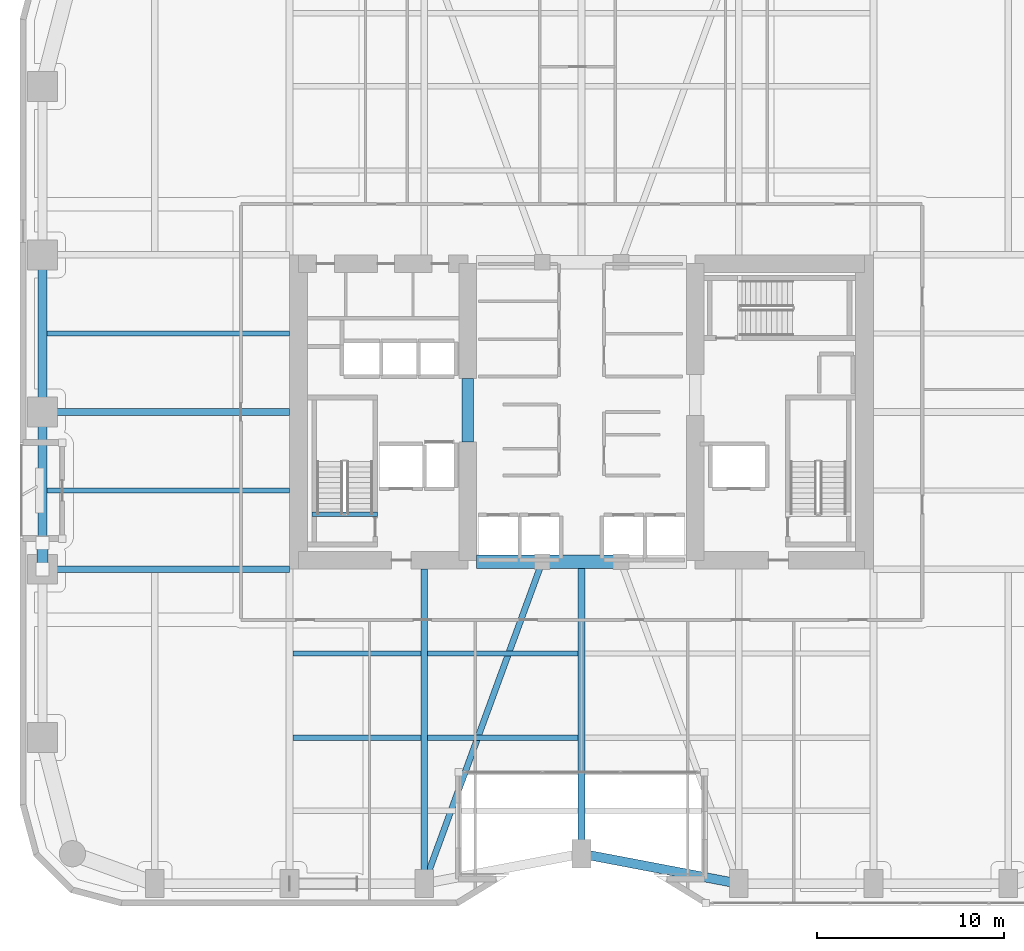
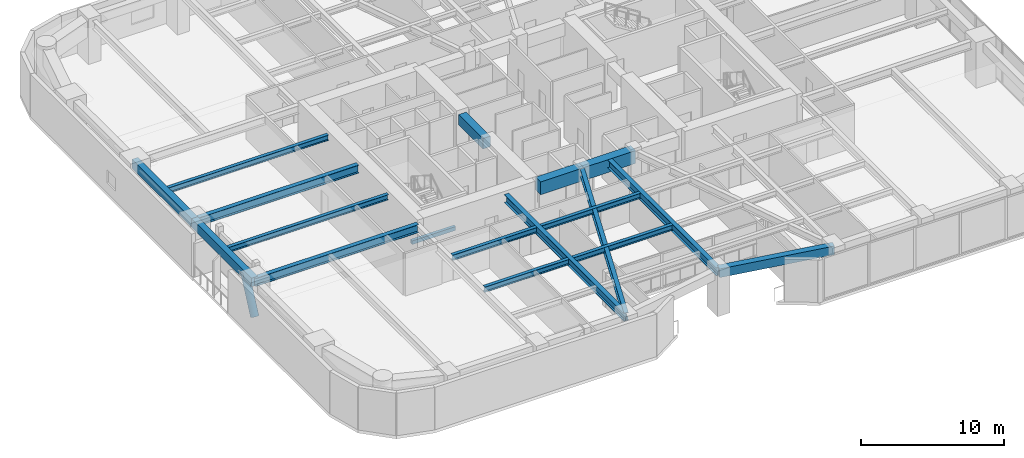
# One storey, part 3 of 26: 18 beams, 1 member.
"""IFC4 building model written with IfcOpenShell, lengths in metres."""

from ifc_helpers import new_model, si_unit, direction, frame, origin, origin_2d, place, context, subcontext, project, spatial, rectangle, hollow_circle, i_section, extrude, material, material_profile, profile_set, type_object, element, save


model = new_model("IFC4")

# Units and contexts
model_context = context("Model", 3, precision=1e-05, world=origin(), true_north=direction((0.0, 1.0)))
body_context = subcontext(model_context, "Body", "Model", "MODEL_VIEW")
ifc_project = project(units=[si_unit("LENGTHUNIT", "METRE"), si_unit("AREAUNIT", "SQUARE_METRE"), si_unit("VOLUMEUNIT", "CUBIC_METRE"), si_unit("PLANEANGLEUNIT", "RADIAN"), si_unit("MASSUNIT", "GRAM", prefix="KILO")], contexts=[model_context])

# Site, building, storey
site_placement = place(None, origin())
site = spatial("IfcSite", under=ifc_project, at=site_placement, CompositionType="ELEMENT")
building_placement = place(site_placement, origin())
building = spatial("IfcBuilding", under=site, at=building_placement, Name="Kiyonajd Concourse Tower", CompositionType="ELEMENT")
storey_placement = place(building_placement, frame((0.0, 0.0, 72.89990234375)))
storey = spatial("IfcBuildingStorey", under=building, at=storey_placement, Name="L19", CompositionType="ELEMENT", Elevation=72.89990234375)

# Beams
ifc_material_1 = material(Name="Concrete C70/85", Category="concrete")
ifc_material_profile_1 = material_profile(ifc_material_1, rectangle(XDim=0.699951171875, YDim=1.10009765625, at=origin_2d()), Name="RCBM-700x1100")
ifc_profile_set_1 = profile_set([ifc_material_profile_1], Name="Concrete C70/85")
beam_type_1 = type_object("IfcBeamType", Name="BM-COUP-1100", PredefinedType="LINTEL", material=ifc_profile_set_1)
beam_1_placement = place(storey_placement, frame((42.39990234375, 28.0, 3.090087890625), z_axis=(1.0, 0.0, 0.0), x_axis=(0.0, 1.0, 0.0)))
element("IfcBeam", 1, at=beam_1_placement, inside=storey, type_object=beam_type_1, Name="L19 Core Coupling Beam S1", PredefinedType="LINTEL", context=body_context, shape_type="SweptSolid", body=[
    extrude(rectangle(XDim=0.699951171875, YDim=1.10009765625, at=origin_2d()), origin(), (0.0, 0.0, 1.0), 3.5),
])
beam_2_placement = place(storey_placement, frame((45.89990234375, 28.0, 3.090087890625), z_axis=(1.0, 0.0, 0.0), x_axis=(0.0, 1.0, 0.0)))
element("IfcBeam", 2, at=beam_2_placement, inside=storey, type_object=beam_type_1, Name="L19 Core Coupling Beam S2", PredefinedType="LINTEL", context=body_context, shape_type="SweptSolid", body=[
    extrude(rectangle(XDim=0.699951171875, YDim=1.10009765625, at=origin_2d()), origin(), (0.0, 0.0, 1.0), 4.2001953125),
])
ifc_material_2 = material(Name="Concrete C60/75", Category="concrete")
ifc_material_profile_2 = material_profile(ifc_material_2, rectangle(XDim=0.60009765625, YDim=0.89990234375, at=origin_2d()), Name="RCBM-600x900")
ifc_profile_set_2 = profile_set([ifc_material_profile_2], Name="Concrete C60/75")
beam_type_2 = type_object("IfcBeamType", Name="BM-COUP-900", PredefinedType="LINTEL", material=ifc_profile_set_2)
beam_3_placement = place(storey_placement, frame((41.925048828125, 34.39990234375, 3.090087890625), z_axis=(0.0, 1.0, 0.0), x_axis=(-1.0, 0.0, 0.0)))
element("IfcBeam", 3, at=beam_3_placement, inside=storey, type_object=beam_type_2, Name="L19 West Core Throat Coupling Lintel", PredefinedType="LINTEL", context=body_context, shape_type="SweptSolid", body=[
    extrude(rectangle(XDim=0.60009765625, YDim=0.89990234375, at=origin_2d()), origin(), (0.0, 0.0, 1.0), 3.400146484375),
])
ifc_material_3 = material(Name="Steel ASTM A992 Grade 50", Category="steel")
ifc_material_profile_3 = material_profile(ifc_material_3, i_section(OverallWidth=0.280029296875, OverallDepth=0.462890625, WebThickness=0.0107421875, FlangeThickness=0.017333984375, at=origin_2d()), Name="W460X113")
ifc_profile_set_3 = profile_set([ifc_material_profile_3], Name="Steel ASTM A992 Grade 50")
beam_type_3 = type_object("IfcBeamType", Name="BM-JST-460A", PredefinedType="JOIST", material=ifc_profile_set_3)
beam_4_placement = place(storey_placement, frame((32.577392578125, 18.60009765625, 3.40869140625), z_axis=(1.0, 0.0, 0.0), x_axis=(0.0, 1.0, 0.0)))
element("IfcBeam", 4, at=beam_4_placement, inside=storey, type_object=beam_type_3, Name="L19 Secondary Floor Joist", PredefinedType="JOIST", context=body_context, shape_type="SweptSolid", body=[
    extrude(i_section(OverallWidth=0.280029296875, OverallDepth=0.462890625, WebThickness=0.0107421875, FlangeThickness=0.017333984375, at=origin_2d()), origin(), (0.0, 0.0, 1.0), 6.84521484375),
])
beam_5_placement = place(storey_placement, frame((39.777587890625, 18.60009765625, 3.40869140625), z_axis=(1.0, 0.0, 0.0), x_axis=(0.0, 1.0, 0.0)))
element("IfcBeam", 5, at=beam_5_placement, inside=storey, type_object=beam_type_3, Name="L19 Secondary Floor Joist", PredefinedType="JOIST", context=body_context, shape_type="SweptSolid", body=[
    extrude(i_section(OverallWidth=0.280029296875, OverallDepth=0.462890625, WebThickness=0.0107421875, FlangeThickness=0.017333984375, at=origin_2d()), origin(), (0.0, 0.0, 1.0), 8.044921875),
])
beam_6_placement = place(storey_placement, frame((32.577392578125, 23.10009765625, 3.40869140625), z_axis=(1.0, 0.0, 0.0), x_axis=(0.0, 1.0, 0.0)))
element("IfcBeam", 6, at=beam_6_placement, inside=storey, type_object=beam_type_3, Name="L19 Secondary Floor Joist", PredefinedType="JOIST", context=body_context, shape_type="SweptSolid", body=[
    extrude(i_section(OverallWidth=0.280029296875, OverallDepth=0.462890625, WebThickness=0.0107421875, FlangeThickness=0.017333984375, at=origin_2d()), origin(), (0.0, 0.0, 1.0), 6.84521484375),
])
beam_7_placement = place(storey_placement, frame((39.777587890625, 23.10009765625, 3.40869140625), z_axis=(1.0, 0.0, 0.0), x_axis=(0.0, 1.0, 0.0)))
element("IfcBeam", 7, at=beam_7_placement, inside=storey, type_object=beam_type_3, Name="L19 Secondary Floor Joist", PredefinedType="JOIST", context=body_context, shape_type="SweptSolid", body=[
    extrude(i_section(OverallWidth=0.280029296875, OverallDepth=0.462890625, WebThickness=0.0107421875, FlangeThickness=0.017333984375, at=origin_2d()), origin(), (0.0, 0.0, 1.0), 8.044921875),
])
for number, where, z_axis, x_axis, name in (
    (8, (19.449951171875, 31.800048828125, 3.40869140625), (1.0, 0.0, 0.0), (0.0, 1.0, 0.0), "L19 West Secondary Floor Joist"),
    (9, (19.449951171875, 40.199951171875, 3.40869140625), (1.0, 0.0, 0.0), (0.0, 1.0, 0.0), "L19 West Secondary Floor Joist"),
):
    element("IfcBeam", number, at=place(storey_placement, frame(where, z_axis=z_axis, x_axis=x_axis)), inside=storey, type_object=beam_type_3, Name=name, PredefinedType="JOIST", context=body_context, shape_type="SweptSolid", body=[
        extrude(i_section(OverallWidth=0.280029296875, OverallDepth=0.462890625, WebThickness=0.0107421875, FlangeThickness=0.017333984375, at=origin_2d()), origin(), (0.0, 0.0, 1.0), 12.949951171875),
    ])
ifc_material_4 = material(Name="Concrete C50/60", Category="concrete")
ifc_material_profile_4 = material_profile(ifc_material_4, rectangle(XDim=0.239990234375, YDim=0.320068359375, at=origin_2d()), Name="RCBM-240x320")
ifc_profile_set_4 = profile_set([ifc_material_profile_4], Name="Concrete C50/60")
beam_type_4 = type_object("IfcBeamType", Name="BM-LNT-250", PredefinedType="LINTEL", material=ifc_profile_set_4)
beam_8_placement = place(storey_placement, frame((33.590087890625, 30.530029296875, -0.159912109375), z_axis=(1.0, 0.0, 0.0), x_axis=(0.0, 1.0, 0.0)))
element("IfcBeam", 10, at=beam_8_placement, inside=storey, type_object=beam_type_4, Name="L19 Stair ST1 Threshold Support Beam", PredefinedType="LINTEL", context=body_context, shape_type="SweptSolid", body=[
    extrude(rectangle(XDim=0.239990234375, YDim=0.320068359375, at=origin_2d()), origin(), (0.0, 0.0, 1.0), 3.52001953125),
])
ifc_material_5 = material(Name="Precast concrete C50/60", Category="concrete")
ifc_material_profile_5 = material_profile(ifc_material_5, rectangle(XDim=0.5, YDim=0.75, at=origin_2d()), Name="RCBM-500x750")
ifc_profile_set_5 = profile_set([ifc_material_profile_5], Name="Precast concrete C50/60")
beam_type_5 = type_object("IfcBeamType", Name="BM-SPAN-RC", PredefinedType="SPANDREL", material=ifc_profile_set_5)
beam_9_placement = place(storey_placement, frame((48.0, 12.39990234375, 3.26513671875), z_axis=(0.982341315253, -0.187097675953, 0.0), x_axis=(0.187097675953, 0.982341315253, 0.0)))
element("IfcBeam", 11, at=beam_9_placement, inside=storey, type_object=beam_type_5, Name="L19 Perimeter Bundled Tube Spandrel", PredefinedType="SPANDREL", context=body_context, shape_type="SweptSolid", body=[
    extrude(rectangle(XDim=0.5, YDim=0.75, at=origin_2d()), origin(), (0.0, 0.0, 1.0), 8.55078125),
])
for number, where, z_axis, x_axis, name in (
    (12, (19.199951171875, 44.39990234375, 3.26513671875), (0.0, -1.0, 0.0), (1.0, 0.0, 0.0), "L19 Perimeter Bundled Tube Spandrel"),
    (13, (19.199951171875, 36.0, 3.26513671875), (0.0, -1.0, 0.0), (1.0, 0.0, 0.0), "L19 Perimeter Bundled Tube Spandrel"),
):
    element("IfcBeam", number, at=place(storey_placement, frame(where, z_axis=z_axis, x_axis=x_axis)), inside=storey, type_object=beam_type_5, Name=name, PredefinedType="SPANDREL", context=body_context, shape_type="SweptSolid", body=[
        extrude(rectangle(XDim=0.5, YDim=0.75, at=origin_2d()), origin(), (0.0, 0.0, 1.0), 8.39990234375),
    ])
ifc_material_profile_6 = material_profile(ifc_material_3, i_section(OverallWidth=0.326904296875, OverallDepth=0.6220703125, WebThickness=0.015380859375, FlangeThickness=0.0244140625, at=origin_2d()), Name="W610X195")
ifc_profile_set_6 = profile_set([ifc_material_profile_6], Name="Steel ASTM A992 Grade 50")
beam_type_6 = type_object("IfcBeamType", Name="BM-TWR-610A", PredefinedType="BEAM", material=ifc_profile_set_6)
beam_10_placement = place(storey_placement, frame((39.60009765625, 10.800048828125, 3.3291015625), z_axis=(0.343925269715, 0.938997022813, 0.0), x_axis=(-0.938997022813, 0.343925269715, 0.0)))
element("IfcBeam", 14, at=beam_10_placement, inside=storey, type_object=beam_type_6, Name="L19 Core Tie Girder", PredefinedType="BEAM", context=body_context, shape_type="SweptSolid", body=[
    extrude(i_section(OverallWidth=0.326904296875, OverallDepth=0.6220703125, WebThickness=0.015380859375, FlangeThickness=0.0244140625, at=origin_2d()), origin(), (0.0, 0.0, 1.0), 18.3173828125),
])
ifc_material_profile_7 = material_profile(ifc_material_3, i_section(OverallWidth=0.35498046875, OverallDepth=0.695068359375, WebThickness=0.015380859375, FlangeThickness=0.02490234375, at=origin_2d()), Name="W690X217")
ifc_profile_set_7 = profile_set([ifc_material_profile_7], Name="Steel ASTM A992 Grade 50")
beam_type_7 = type_object("IfcBeamType", Name="BM-TWR-690", PredefinedType="BEAM", material=ifc_profile_set_7)
beam_11_placement = place(storey_placement, frame((39.60009765625, 10.800048828125, 3.29248046875), z_axis=(0.0, 1.0, 0.0), x_axis=(-1.0, 0.0, 0.0)))
element("IfcBeam", 15, at=beam_11_placement, inside=storey, type_object=beam_type_7, Name="L19 South Lease Girder", PredefinedType="BEAM", context=body_context, shape_type="SweptSolid", body=[
    extrude(i_section(OverallWidth=0.35498046875, OverallDepth=0.695068359375, WebThickness=0.015380859375, FlangeThickness=0.02490234375, at=origin_2d()), origin(), (0.0, 0.0, 1.0), 16.800048828125),
])
beam_12_placement = place(storey_placement, frame((48.0, 12.39990234375, 3.29248046875), z_axis=(0.0, 1.0, 0.0), x_axis=(-1.0, 0.0, 0.0)))
element("IfcBeam", 16, at=beam_12_placement, inside=storey, type_object=beam_type_7, Name="L19 South Ribbon Girder", PredefinedType="BEAM", context=body_context, shape_type="SweptSolid", body=[
    extrude(i_section(OverallWidth=0.35498046875, OverallDepth=0.695068359375, WebThickness=0.015380859375, FlangeThickness=0.02490234375, at=origin_2d()), origin(), (0.0, 0.0, 1.0), 15.60009765625),
])
for number, where, z_axis, x_axis, name in (
    (17, (19.199951171875, 27.60009765625, 3.29248046875), (1.0, 0.0, 0.0), (0.0, 1.0, 0.0), "L19 West Lease Girder"),
    (18, (19.199951171875, 36.0, 3.29248046875), (1.0, 0.0, 0.0), (0.0, 1.0, 0.0), "L19 West Lease Girder"),
):
    element("IfcBeam", number, at=place(storey_placement, frame(where, z_axis=z_axis, x_axis=x_axis)), inside=storey, type_object=beam_type_7, Name=name, PredefinedType="BEAM", context=body_context, shape_type="SweptSolid", body=[
        extrude(i_section(OverallWidth=0.35498046875, OverallDepth=0.695068359375, WebThickness=0.015380859375, FlangeThickness=0.02490234375, at=origin_2d()), origin(), (0.0, 0.0, 1.0), 13.199951171875),
    ])

# Member
ifc_material_6 = material(Name="Steel ASTM A572 Grade 50", Category="steel")
ifc_material_profile_8 = material_profile(ifc_material_6, hollow_circle(Radius=0.304931640625, WallThickness=0.02490234375, at=origin_2d()), Name="CHS-610x25")
ifc_profile_set_8 = profile_set([ifc_material_profile_8], Name="Steel ASTM A572 Grade 50")
member_type = type_object("IfcMemberType", Name="MB-PB-LOW", PredefinedType="BRACE", material=ifc_profile_set_8)
member_placement = place(storey_placement, frame((19.199951171875, 27.60009765625, 0.300048828125), z_axis=(0.0, 0.424022702926, 0.905651559598), x_axis=(-1.0, 0.0, 0.0)))
element("IfcMember", 19, at=member_placement, inside=storey, type_object=member_type, Name="L19 Lower Zone Welded Tube Brace PBW", PredefinedType="BRACE", context=body_context, shape_type="SweptSolid", body=[
    extrude(hollow_circle(Radius=0.304931640625, WallThickness=0.02490234375, at=origin_2d()), origin(), (0.0, 0.0, 1.0), 3.301513671875),
])

save(model, "model.ifc")
